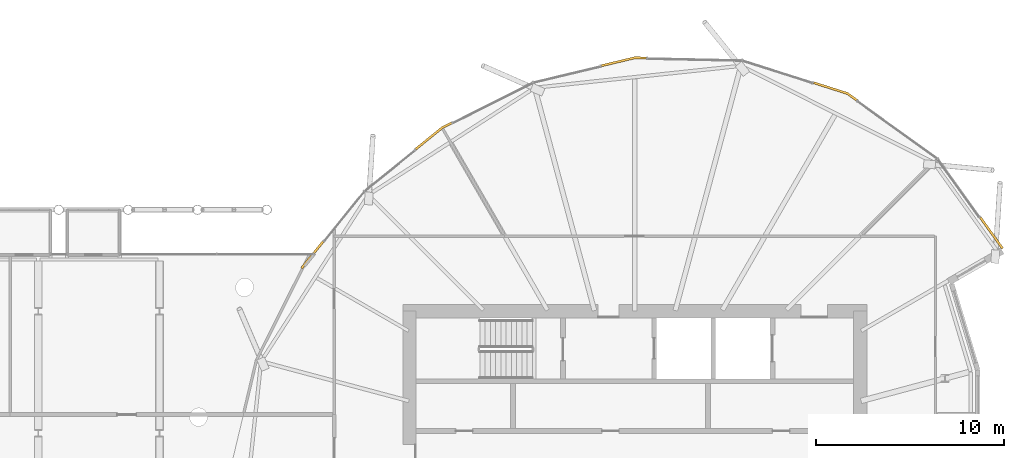
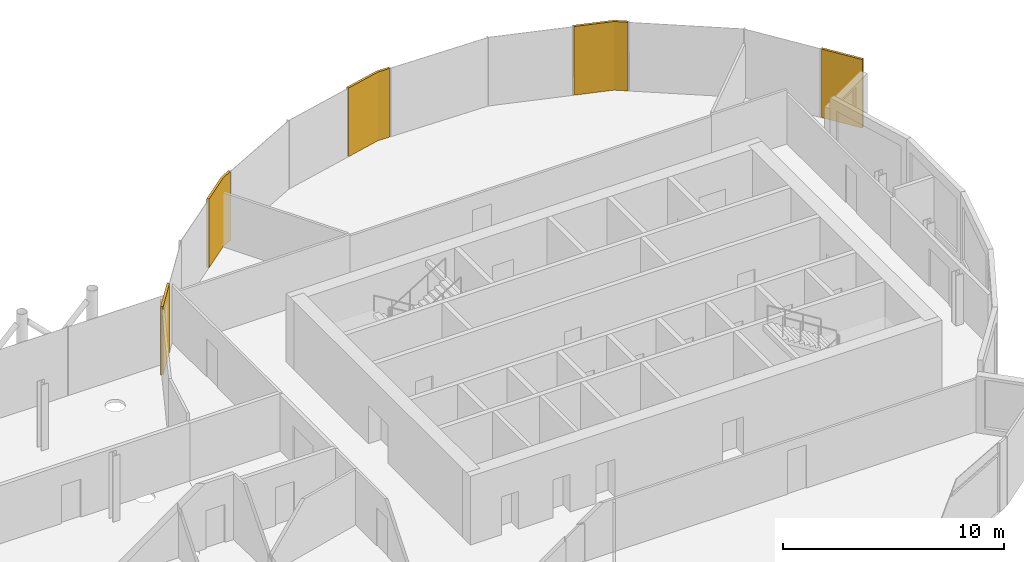
# One storey, part 39 of 39: 5 coverings.
"""IFC4 building model written with IfcOpenShell, lengths in metres."""

from ifc_helpers import new_model, si_unit, direction, frame, origin, place, context, subcontext, project, spatial, polyline, outline, extrude, material, layer, layer_set, type_object, element, save


model = new_model("IFC4")

# Units and contexts
model_context = context("Model", 3, precision=1e-05, world=origin(), true_north=direction((0.0, 1.0)))
body_context = subcontext(model_context, "Body", "Model", "MODEL_VIEW")
ifc_project = project(units=[si_unit("LENGTHUNIT", "METRE"), si_unit("AREAUNIT", "SQUARE_METRE"), si_unit("VOLUMEUNIT", "CUBIC_METRE"), si_unit("PLANEANGLEUNIT", "RADIAN"), si_unit("MASSUNIT", "GRAM", prefix="KILO")], contexts=[model_context])

# Site, building, storey
site_placement = place(None, origin())
site = spatial("IfcSite", under=ifc_project, at=site_placement, CompositionType="ELEMENT")
building_placement = place(site_placement, origin())
building = spatial("IfcBuilding", under=site, at=building_placement, Name="Rimbun Link Towers", CompositionType="ELEMENT")
storey_placement = place(building_placement, frame((0.0, 0.0, 139.199951171875)))
storey = spatial("IfcBuildingStorey", under=building, at=storey_placement, Name="L33", CompositionType="ELEMENT", Elevation=139.199951171875)

# Coverings
ifc_material = material(Name="Terracotta", Category="masonry")
ifc_layer = layer(ifc_material, 0.1201171875)
ifc_layer_set = layer_set([ifc_layer], Name="LINK PIER terracotta cladding 120")
covering_type = type_object("IfcCoveringType", Name="LINK PIER terracotta cladding 120", PredefinedType="CLADDING", material=ifc_layer_set)
covering_1_placement = place(storey_placement, origin())
element("IfcCovering", 1, at=covering_1_placement, inside=storey, type_object=covering_type, Name="LINK PIER cladding", PredefinedType="CLADDING", context=body_context, shape_type="SweptSolid", body=[
    extrude(outline(polyline([(41.2490234375, 20.10595703125), (43.031005859375, 19.539306640625), (43.53466796875, 19.177734375), (43.604736328125, 19.275390625), (43.08544921875, 19.64794921875), (41.285400390625, 20.220458984375), (41.2490234375, 20.10595703125)])), origin(), (0.0, 0.0, 1.0), 3.800048828125),
])
covering_2_placement = place(storey_placement, origin())
element("IfcCovering", 2, at=covering_2_placement, inside=storey, type_object=covering_type, Name="LINK PIER cladding", PredefinedType="CLADDING", context=body_context, shape_type="SweptSolid", body=[
    extrude(outline(polyline([(29.97998046875, 21.0078125), (31.75, 21.43115234375), (32.369873046875, 21.418212890625), (32.372314453125, 21.5380859375), (31.737060546875, 21.551513671875), (29.951904296875, 21.12451171875), (29.97998046875, 21.0078125)])), origin(), (0.0, 0.0, 1.0), 3.800048828125),
])
covering_3_placement = place(storey_placement, origin())
element("IfcCovering", 3, at=covering_3_placement, inside=storey, type_object=covering_type, Name="LINK PIER cladding", PredefinedType="CLADDING", context=body_context, shape_type="SweptSolid", body=[
    extrude(outline(polyline([(20.10791015625, 16.569580078125), (21.5224609375, 17.714599609375), (22.031982421875, 17.970458984375), (21.97802734375, 18.07763671875), (21.45703125, 17.81591796875), (20.032470703125, 16.662841796875), (20.10791015625, 16.569580078125)])), origin(), (0.0, 0.0, 1.0), 3.800048828125),
])
covering_4_placement = place(storey_placement, origin())
element("IfcCovering", 4, at=covering_4_placement, inside=storey, type_object=covering_type, Name="LINK PIER cladding", PredefinedType="CLADDING", context=body_context, shape_type="SweptSolid", body=[
    extrude(outline(polyline([(14.05419921875, 10.250732421875), (15.2119140625, 11.680908203125), (15.11865234375, 11.756591796875), (13.9609375, 10.326416015625), (14.05419921875, 10.250732421875)])), origin(), (0.0, 0.0, 1.0), 3.800048828125),
])
covering_5_placement = place(storey_placement, origin())
element("IfcCovering", 5, at=covering_5_placement, inside=storey, type_object=covering_type, Name="LINK PIER cladding", PredefinedType="CLADDING", context=body_context, shape_type="SweptSolid", body=[
    extrude(outline(polyline([(50.08251953125, 12.962890625), (51.271728515625, 11.305419921875), (51.369384765625, 11.375244140625), (50.179931640625, 13.03271484375), (50.08251953125, 12.962890625)])), origin(), (0.0, 0.0, 1.0), 3.800048828125),
])

save(model, "model.ifc")
